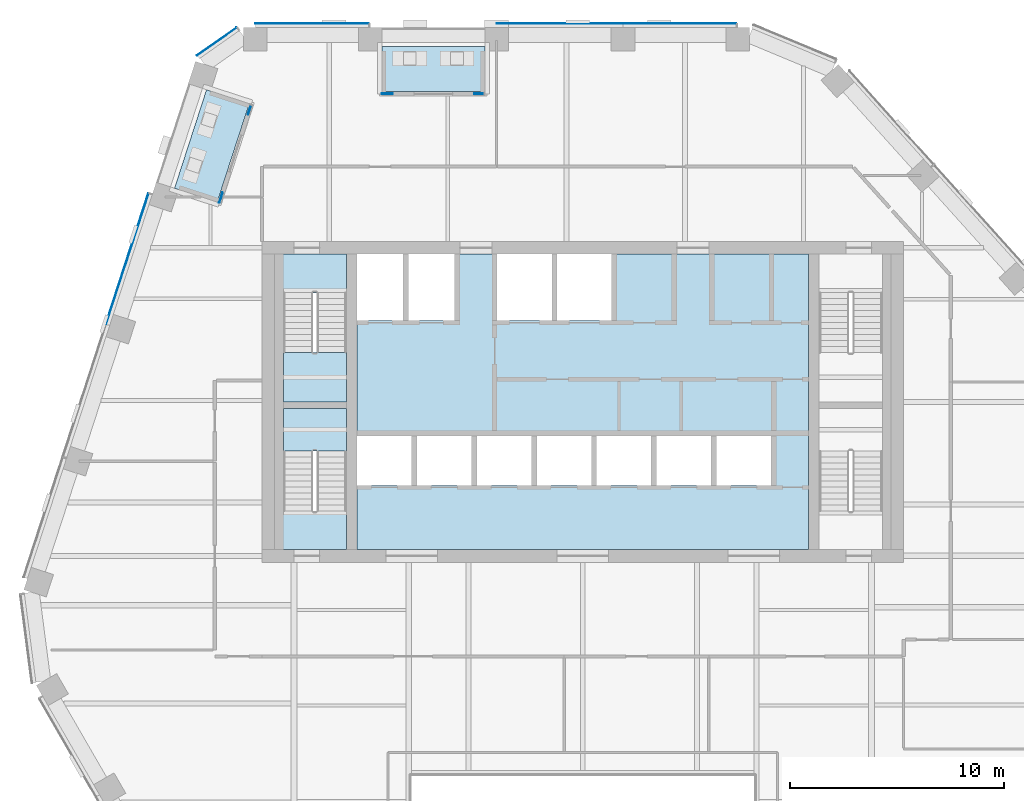
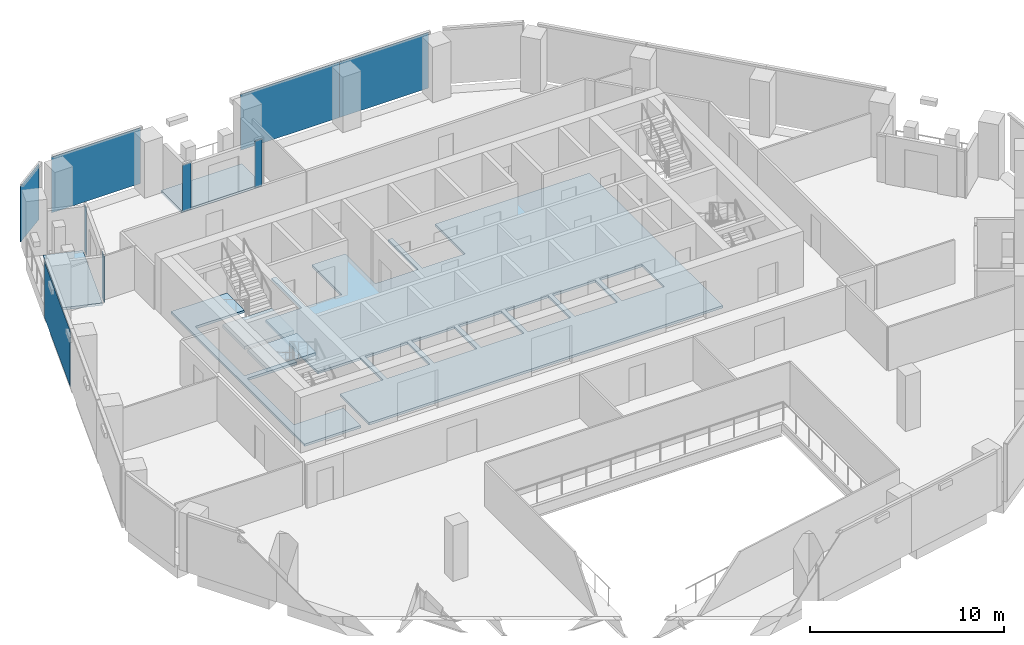
# One storey, part 14 of 25: 9 plates, 6 slabs, 7 elements without a shape of their own.
"""IFC4 building model written with IfcOpenShell, lengths in metres."""

from ifc_helpers import new_model, si_unit, direction, frame, origin, origin_2d, place, context, subcontext, project, spatial, polyline, rectangle, outline, extrude, material, layer, layer_set, type_object, element, aggregate, save


model = new_model("IFC4")

# Units and contexts
model_context = context("Model", 3, precision=1e-05, world=origin(), true_north=direction((0.0, 1.0)))
body_context = subcontext(model_context, "Body", "Model", "MODEL_VIEW")
ifc_project = project(units=[si_unit("LENGTHUNIT", "METRE"), si_unit("AREAUNIT", "SQUARE_METRE"), si_unit("VOLUMEUNIT", "CUBIC_METRE"), si_unit("PLANEANGLEUNIT", "RADIAN"), si_unit("MASSUNIT", "GRAM", prefix="KILO")], contexts=[model_context])

# Site, building, storey
site_placement = place(None, origin())
site = spatial("IfcSite", under=ifc_project, at=site_placement, CompositionType="ELEMENT")
building_placement = place(site_placement, origin())
building = spatial("IfcBuilding", under=site, at=building_placement, Name="Isthmus Gate Tower", CompositionType="ELEMENT")
storey_placement = place(building_placement, frame((0.0, 0.0, 249.14990234375)))
storey = spatial("IfcBuildingStorey", under=building, at=storey_placement, Name="L63", CompositionType="ELEMENT", Elevation=249.14990234375)

# Slabs
ifc_material_1 = material(Name="Concrete f'c 40 MPa", Category="concrete")
ifc_layer_1 = layer(ifc_material_1, 0.14990234375)
ifc_layer_set_1 = layer_set([ifc_layer_1], Name="CORE FLOOR SLAB 150")
slab_type_1 = type_object("IfcSlabType", Name="CORE FLOOR SLAB 150", PredefinedType="FLOOR", material=ifc_layer_set_1)
slab_1_placement = place(storey_placement, frame((0.0, 0.0, -0.14990234375)))
element("IfcSlab", 1, at=slab_1_placement, inside=storey, type_object=slab_type_1, Name="L63 core floor", PredefinedType="FLOOR", context=body_context, shape_type="SweptSolid", body=[
    extrude(outline(polyline([(-11.050048828125, 0.60009765625), (-11.050048828125, 2.402099609375), (-14.0, 2.402099609375), (-14.0, 7.199951171875), (-11.050048828125, 7.199951171875), (-11.050048828125, 7.5), (-14.0, 7.5), (-14.0, 12.597900390625), (-11.050048828125, 12.597900390625), (-11.050048828125, 14.39990234375), (-14.39990234375, 14.39990234375), (-14.39990234375, 0.60009765625), (-11.050048828125, 0.60009765625)])), origin(), (0.0, 0.0, 1.0), 0.14990234375),
])
slab_2_placement = place(storey_placement, frame((0.0, 0.0, -0.14990234375)))
element("IfcSlab", 2, at=slab_2_placement, inside=storey, type_object=slab_type_1, Name="L63 core floor", PredefinedType="FLOOR", context=body_context, shape_type="SweptSolid", body=[
    extrude(outline(polyline([(10.550048828125, 14.39990234375), (1.35009765625, 14.39990234375), (1.35009765625, 11.300048828125), (-1.199951171875, 11.300048828125), (-1.199951171875, 14.39990234375), (-1.449951171875, 14.39990234375), (-1.449951171875, 11.300048828125), (-4.0, 11.300048828125), (-4.0, 14.39990234375), (-6.0, 14.39990234375), (-6.0, 11.300048828125), (-8.14990234375, 11.300048828125), (-8.14990234375, 14.39990234375), (-8.39990234375, 14.39990234375), (-8.39990234375, 11.300048828125), (-10.550048828125, 11.300048828125), (-10.550048828125, 5.89990234375), (-8.0, 5.89990234375), (-8.0, 3.60009765625), (-10.550048828125, 3.60009765625), (-10.550048828125, 0.60009765625), (10.550048828125, 0.60009765625), (10.550048828125, 14.39990234375)]), holes=[polyline([(-5.199951171875, 5.89990234375), (-5.199951171875, 3.60009765625), (-7.75, 3.60009765625), (-7.75, 5.89990234375), (-5.199951171875, 5.89990234375)]), polyline([(-2.39990234375, 5.89990234375), (-2.39990234375, 3.60009765625), (-4.949951171875, 3.60009765625), (-4.949951171875, 5.89990234375), (-2.39990234375, 5.89990234375)]), polyline([(0.39990234375, 5.89990234375), (0.39990234375, 3.60009765625), (-2.14990234375, 3.60009765625), (-2.14990234375, 5.89990234375), (0.39990234375, 5.89990234375)]), polyline([(3.199951171875, 5.89990234375), (3.199951171875, 3.60009765625), (0.64990234375, 3.60009765625), (0.64990234375, 5.89990234375), (3.199951171875, 5.89990234375)]), polyline([(6.0, 5.89990234375), (6.0, 3.60009765625), (3.449951171875, 3.60009765625), (3.449951171875, 5.89990234375), (6.0, 5.89990234375)]), polyline([(8.800048828125, 5.89990234375), (8.800048828125, 3.60009765625), (6.25, 3.60009765625), (6.25, 5.89990234375), (8.800048828125, 5.89990234375)])]), origin(), (0.0, 0.0, 1.0), 0.14990234375),
])

# Curtain wall, plates
ifc_material_2 = material(Name="Aluminium, pale champagne anodised", Category="aluminium")
ifc_layer_2 = layer(ifc_material_2, 0.199951171875)
ifc_layer_set_2 = layer_set([ifc_layer_2], Name="CW-1 UNITISED CURTAIN WALL 200 DEEP")
curtain_wall_type_1 = type_object("IfcCurtainWallType", Name="CW-1 UNITISED CURTAIN WALL 200 DEEP", PredefinedType="NOTDEFINED", material=ifc_layer_set_2)
curtain_wall_1_placement = place(storey_placement, origin())
curtain_wall_1 = element("IfcCurtainWall", 3, at=curtain_wall_1_placement, inside=storey, type_object=curtain_wall_type_1, Name="CW-1 N L63", PredefinedType="NOTDEFINED")
ifc_material_3 = material(Name="Laminated low-iron glass, pale blue tint", Category="glass")
ifc_layer_3 = layer(ifc_material_3, 0.031982421875)
ifc_layer_set_3 = layer_set([ifc_layer_3], Name="CW-1 CLEAR GLASS LITE 32")
plate_type_1 = type_object("IfcPlateType", Name="CW-1 CLEAR GLASS LITE 32", PredefinedType="CURTAIN_PANEL", material=ifc_layer_set_3)
plate_1_placement = place(storey_placement, frame((4.53076171875, 25.18408203125, 0.0), z_axis=(0.0, 0.0, 1.0), x_axis=(-1.0, 0.0, 0.0)))
plate_1 = element("IfcPlate", 4, at=plate_1_placement, type_object=plate_type_1, Name="CW-1 glass lite", PredefinedType="CURTAIN_PANEL", context=body_context, shape_type="SweptSolid", body=[
    extrude(rectangle(XDim=5.300537109375, YDim=0.031982421875, at=origin_2d()), origin(), (0.0, 0.0, 1.0), 3.52001953125),
])
plate_2_placement = place(storey_placement, frame((-1.07470703125, 25.18408203125, 0.0), z_axis=(0.0, 0.0, 1.0), x_axis=(-1.0, 0.0, 0.0)))
plate_2 = element("IfcPlate", 5, at=plate_2_placement, type_object=plate_type_1, Name="CW-1 glass lite", PredefinedType="CURTAIN_PANEL", context=body_context, shape_type="SweptSolid", body=[
    extrude(rectangle(XDim=5.91064453125, YDim=0.031982421875, at=origin_2d()), origin(), (0.0, 0.0, 1.0), 3.52001953125),
])
plate_3_placement = place(storey_placement, frame((-12.65087890625, 25.18408203125, 0.0), z_axis=(0.0, 0.0, 1.0), x_axis=(-1.0, 0.0, 0.0)))
plate_3 = element("IfcPlate", 6, at=plate_3_placement, type_object=plate_type_1, Name="CW-1 glass lite", PredefinedType="CURTAIN_PANEL", context=body_context, shape_type="SweptSolid", body=[
    extrude(rectangle(XDim=5.300537109375, YDim=0.031982421875, at=origin_2d()), origin(), (0.0, 0.0, 1.0), 3.52001953125),
])
aggregate(curtain_wall_1, [plate_1, plate_2, plate_3])

# Curtain wall, plate
curtain_wall_2_placement = place(storey_placement, origin())
curtain_wall_2 = element("IfcCurtainWall", 7, at=curtain_wall_2_placement, inside=storey, type_object=curtain_wall_type_1, Name="CW-1 N-NW L63", PredefinedType="NOTDEFINED")
plate_4_placement = place(storey_placement, frame((-17.1025390625, 24.3447265625, 0.0), z_axis=(0.0, 0.0, 1.0), x_axis=(-0.81785959165, -0.57541783805, 0.0)))
plate_4 = element("IfcPlate", 8, at=plate_4_placement, type_object=plate_type_1, Name="CW-1 glass lite", PredefinedType="CURTAIN_PANEL", context=body_context, shape_type="SweptSolid", body=[
    extrude(rectangle(XDim=2.258544921875, YDim=0.031982421875, at=origin_2d()), origin(), (0.0, 0.0, 1.0), 3.52001953125),
])
aggregate(curtain_wall_2, [plate_4])

curtain_wall_3_placement = place(storey_placement, origin())
curtain_wall_3 = element("IfcCurtainWall", 9, at=curtain_wall_3_placement, inside=storey, type_object=curtain_wall_type_1, Name="CW-1 NW L63", PredefinedType="NOTDEFINED")
plate_5_placement = place(storey_placement, frame((-21.297607421875, 14.18212890625, 0.0), z_axis=(0.0, 0.0, 1.0), x_axis=(-0.309016994375, -0.951056516295, 0.0)))
plate_5 = element("IfcPlate", 10, at=plate_5_placement, type_object=plate_type_1, Name="CW-1 glass lite", PredefinedType="CURTAIN_PANEL", context=body_context, shape_type="SweptSolid", body=[
    extrude(rectangle(XDim=6.431884765625, YDim=0.031982421875, at=origin_2d()), origin(), (0.0, 0.0, 1.0), 3.52001953125),
])
aggregate(curtain_wall_3, [plate_5])

# Curtain wall, plates
ifc_material_4 = material(Name="Aluminium, pale champagne anodised", Category="aluminium")
ifc_layer_4 = layer(ifc_material_4, 0.14990234375)
ifc_layer_set_4 = layer_set([ifc_layer_4], Name="CW-6 LOGGIA BACK WALL GLAZING 150 DEEP")
curtain_wall_type_2 = type_object("IfcCurtainWallType", Name="CW-6 LOGGIA BACK WALL GLAZING 150 DEEP", PredefinedType="NOTDEFINED", material=ifc_layer_set_4)
curtain_wall_4_placement = place(storey_placement, origin())
curtain_wall_4 = element("IfcCurtainWall", 11, at=curtain_wall_4_placement, inside=storey, type_object=curtain_wall_type_2, Name="CW-6 N L63", PredefinedType="NOTDEFINED")
ifc_material_5 = material(Name="Laminated low-iron glass, clear", Category="glass")
ifc_layer_5 = layer(ifc_material_5, 0.031982421875)
ifc_layer_set_5 = layer_set([ifc_layer_5], Name="CW-6 CLEAR GLASS LITE 32")
plate_type_2 = type_object("IfcPlateType", Name="CW-6 CLEAR GLASS LITE 32", PredefinedType="CURTAIN_PANEL", material=ifc_layer_set_5)
plate_6_placement = place(storey_placement, frame((-4.860107421875, 21.89990234375, 0.0), z_axis=(0.0, 0.0, 1.0), x_axis=(-1.0, 0.0, 0.0)))
plate_6 = element("IfcPlate", 12, at=plate_6_placement, type_object=plate_type_2, Name="CW-6 glass lite", PredefinedType="CURTAIN_PANEL", context=body_context, shape_type="SweptSolid", body=[
    extrude(rectangle(XDim=0.43994140625, YDim=0.031982421875, at=origin_2d()), origin(), (0.0, 0.0, 1.0), 2.929931640625),
])
plate_7_placement = place(storey_placement, frame((-9.140625, 21.89990234375, 0.0), z_axis=(0.0, 0.0, 1.0), x_axis=(-1.0, 0.0, 0.0)))
plate_7 = element("IfcPlate", 13, at=plate_7_placement, type_object=plate_type_2, Name="CW-6 glass lite", PredefinedType="CURTAIN_PANEL", context=body_context, shape_type="SweptSolid", body=[
    extrude(rectangle(XDim=0.5, YDim=0.031982421875, at=origin_2d()), origin(), (0.0, 0.0, 1.0), 2.929931640625),
])
aggregate(curtain_wall_4, [plate_6, plate_7])

curtain_wall_5_placement = place(storey_placement, origin())
curtain_wall_5 = element("IfcCurtainWall", 14, at=curtain_wall_5_placement, inside=storey, type_object=curtain_wall_type_2, Name="CW-6 NW L63", PredefinedType="NOTDEFINED")
plate_8_placement = place(storey_placement, frame((-15.582275390625, 21.14453125, 0.0), z_axis=(0.0, 0.0, 1.0), x_axis=(-0.309016994375, -0.951056516295, 0.0)))
plate_8 = element("IfcPlate", 15, at=plate_8_placement, type_object=plate_type_2, Name="CW-6 glass lite", PredefinedType="CURTAIN_PANEL", context=body_context, shape_type="SweptSolid", body=[
    extrude(rectangle(XDim=0.43994140625, YDim=0.031982421875, at=origin_2d()), origin(), (0.0, 0.0, 1.0), 2.929931640625),
])
plate_9_placement = place(storey_placement, frame((-16.914794921875, 17.043701171875, 0.0), z_axis=(0.0, 0.0, 1.0), x_axis=(-0.309016994375, -0.951056516295, 0.0)))
plate_9 = element("IfcPlate", 16, at=plate_9_placement, type_object=plate_type_2, Name="CW-6 glass lite", PredefinedType="CURTAIN_PANEL", context=body_context, shape_type="SweptSolid", body=[
    extrude(rectangle(XDim=0.5, YDim=0.031982421875, at=origin_2d()), origin(), (0.0, 0.0, 1.0), 2.929931640625),
])
aggregate(curtain_wall_5, [plate_8, plate_9])

# Slabs
ifc_material_6 = material(Name="Concrete f'c 50 MPa", Category="concrete")
ifc_layer_6 = layer(ifc_material_6, 0.14990234375)
ifc_layer_set_6 = layer_set([ifc_layer_6], Name="LOGGIA FLOOR SLAB 150")
slab_type_2 = type_object("IfcSlabType", Name="LOGGIA FLOOR SLAB 150", PredefinedType="FLOOR", material=ifc_layer_set_6)
slab_3_placement = place(storey_placement, frame((0.0, 0.0, -0.14990234375)))
element("IfcSlab", 17, at=slab_3_placement, inside=storey, type_object=slab_type_2, Name="LOGGIA FLOOR", PredefinedType="FLOOR", context=body_context, shape_type="SweptSolid", body=[
    extrude(outline(polyline([(-4.580078125, 24.10009765625), (-9.390625, 24.10009765625), (-9.390625, 22.0), (-4.580078125, 22.0), (-4.580078125, 24.10009765625)])), origin(), (0.0, 0.0, 1.0), 0.14990234375),
])
slab_4_placement = place(storey_placement, frame((0.0, 0.0, -0.14990234375)))
element("IfcSlab", 18, at=slab_4_placement, inside=storey, type_object=slab_type_2, Name="LOGGIA FLOOR", PredefinedType="FLOOR", context=body_context, shape_type="SweptSolid", body=[
    extrude(outline(polyline([(-17.588134765625, 22.090576171875), (-19.084228515625, 17.48583984375), (-17.087158203125, 16.8369140625), (-15.5908203125, 21.441650390625), (-17.588134765625, 22.090576171875)])), origin(), (0.0, 0.0, 1.0), 0.14990234375),
])

# Stair, slab
ifc_material_7 = material(Name="Concrete f'c 40 MPa", Category="concrete")
stair_type = type_object("IfcStairType", Name="CORE STAIR 22 RISERS", PredefinedType="HALF_TURN_STAIR", material=ifc_material_7)
stair_1_placement = place(storey_placement, origin())
stair_1 = element("IfcStair", 19, at=stair_1_placement, inside=storey, type_object=stair_type, Name="L63 Exit Stair 1", PredefinedType="HALF_TURN_STAIR")
ifc_material_8 = material(Name="Concrete f'c 40 MPa", Category="concrete")
ifc_layer_7 = layer(ifc_material_8, 0.199951171875)
ifc_layer_set_7 = layer_set([ifc_layer_7])
slab_type_3 = type_object("IfcSlabType", Name="STAIR LANDING RC 200", PredefinedType="LANDING", material=ifc_layer_set_7)
slab_5_placement = place(storey_placement, frame((0.0, 0.0, 1.625)))
slab_5 = element("IfcSlab", 20, at=slab_5_placement, type_object=slab_type_3, Name="ST1 landing 1", PredefinedType="LANDING", context=body_context, shape_type="SweptSolid", body=[
    extrude(outline(polyline([(-14.0, 9.800048828125), (-14.0, 7.5), (-11.050048828125, 7.5), (-11.050048828125, 9.800048828125), (-14.0, 9.800048828125)])), origin(), (0.0, 0.0, 1.0), 0.2001953125),
])
aggregate(stair_1, [slab_5])

stair_2_placement = place(storey_placement, origin())
stair_2 = element("IfcStair", 21, at=stair_2_placement, inside=storey, type_object=stair_type, Name="L63 Exit Stair 7", PredefinedType="HALF_TURN_STAIR")
slab_6_placement = place(storey_placement, frame((0.0, 0.0, 1.625)))
slab_6 = element("IfcSlab", 22, at=slab_6_placement, type_object=slab_type_3, Name="ST7 landing 1", PredefinedType="LANDING", context=body_context, shape_type="SweptSolid", body=[
    extrude(outline(polyline([(-11.050048828125, 5.199951171875), (-11.050048828125, 7.199951171875), (-14.0, 7.199951171875), (-14.0, 5.199951171875), (-11.050048828125, 5.199951171875)])), origin(), (0.0, 0.0, 1.0), 0.2001953125),
])
aggregate(stair_2, [slab_6])

save(model, "model.ifc")
